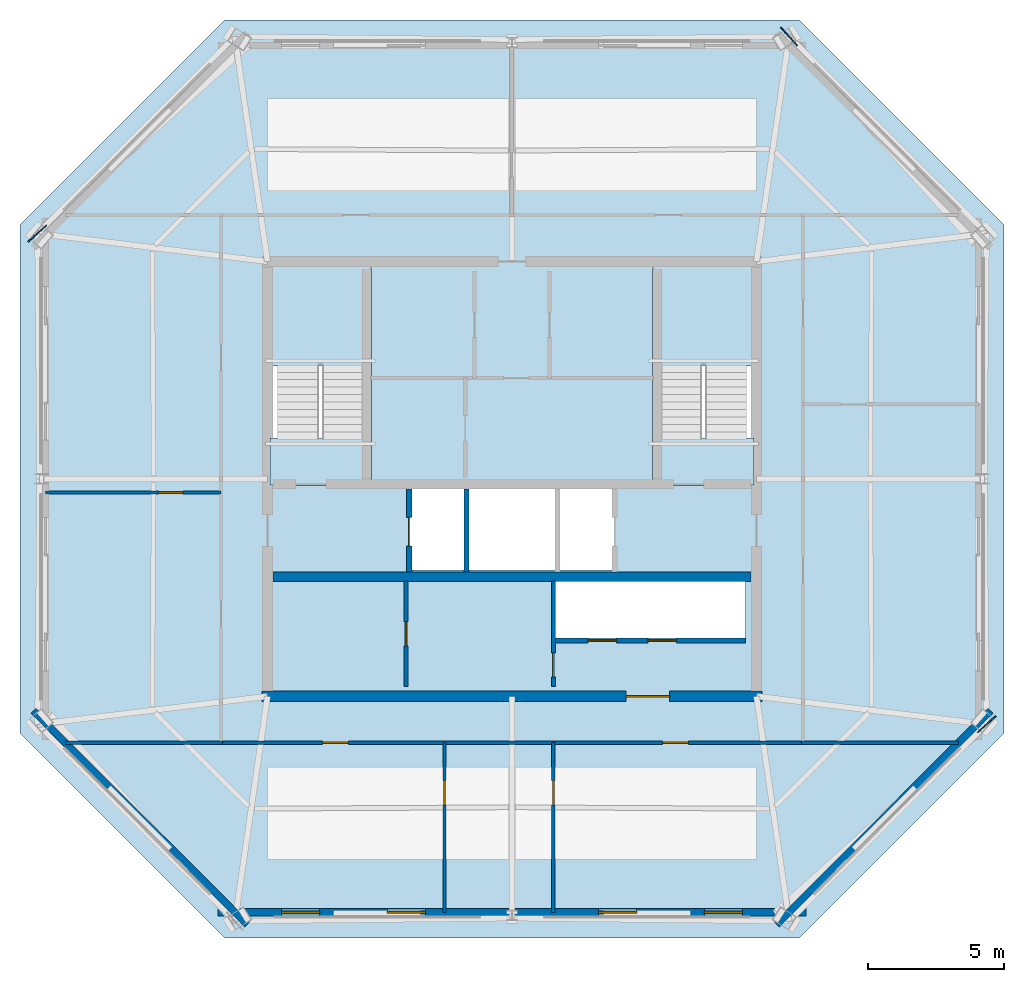
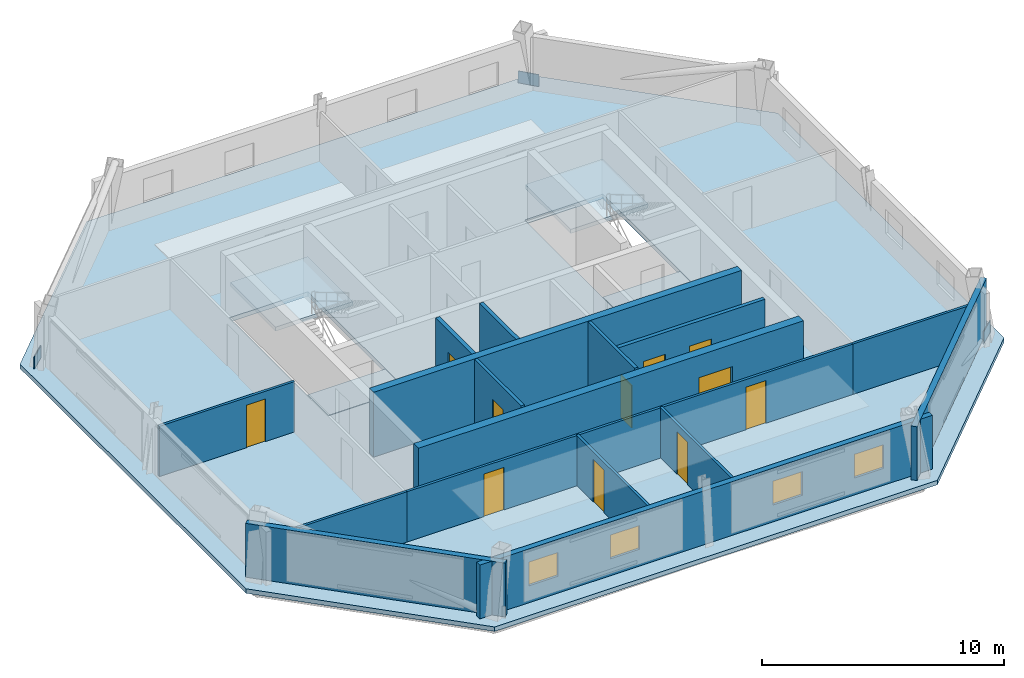
# One storey, part 2 of 5: 16 walls, 11 doors, 5 slabs, 4 windows, 3 plates, 15 openings, 2 elements without a shape of their own.
"""IFC4 building model written with IfcOpenShell, lengths in metres."""

import ifcopenshell
import ifcopenshell.guid

model = None  # the IFC model being written
_history = None  # IfcOwnerHistory: only IFC2X3 demands one
_inside = {}  # id of a spatial element -> (the spatial element, [elements in it])
_under = {}  # id of a project, library or spatial element -> (it, [spatial elements below it])
_declared = {}  # id of a project -> (the project, [libraries it declares])
_typed = {}  # id of a type object -> (the type object, [elements of that type])
_made_of = {}  # id of a material, layer set ... -> (it, [elements and type objects made of it])


def new_model(schema):
    """Start an empty IFC model of exactly this schema.

    Asked for "IFC4X3", IfcOpenShell would pick the latest addendum, in which some entities
    have other attributes; the version numbers below select the first issue.
    IFC2X3 requires an IfcOwnerHistory on every rooted entity: one is made here for all.
    """
    global model, _history
    if schema == "IFC4X3":
        model = ifcopenshell.file(schema_version=(4, 3, 0, 0))
    else:
        model = ifcopenshell.file(schema=schema)
    _inside.clear()
    _under.clear()
    _declared.clear()
    _typed.clear()
    _made_of.clear()
    _history = None
    if model.schema == "IFC2X3":
        org = make("IfcOrganization", Name="unknown")
        user = make(
            "IfcPersonAndOrganization",
            ThePerson=make("IfcPerson", FamilyName="unknown"),
            TheOrganization=org,
        )
        app = make(
            "IfcApplication",
            ApplicationDeveloper=org,
            Version="unknown",
            ApplicationFullName="unknown",
            ApplicationIdentifier="unknown",
        )
        _history = make(
            "IfcOwnerHistory",
            OwningUser=user,
            OwningApplication=app,
            ChangeAction="ADDED",
            CreationDate=0,
        )
    return model


def make(cls, **values):
    """One entity of the class cls with the attributes given. An attribute that is None is left unset."""
    return model.create_entity(
        cls, **{name: value for name, value in values.items() if value is not None}
    )


def rooted(cls, **values):
    """An entity with a GlobalId (a new one), such as an element, a storey or a relation."""
    return make(cls, GlobalId=ifcopenshell.guid.new(), OwnerHistory=_history, **values)


def si_unit(unit_type, name, prefix=None):
    """IfcSIUnit, for example si_unit("LENGTHUNIT", "METRE", prefix="MILLI")."""
    return make("IfcSIUnit", UnitType=unit_type, Prefix=prefix, Name=name)


def assignment(units):
    """IfcUnitAssignment: the units of a project."""
    return None if units is None else make("IfcUnitAssignment", Units=units)


def point(xyz):
    """IfcCartesianPoint."""
    return None if xyz is None else make("IfcCartesianPoint", Coordinates=xyz)


def direction(xyz):
    """IfcDirection."""
    return None if xyz is None else make("IfcDirection", DirectionRatios=xyz)


def frame(location, z_axis=None, x_axis=None):
    """IfcAxis2Placement3D, a coordinate frame: its origin and axes. An axis left out is left unset."""
    return make(
        "IfcAxis2Placement3D",
        Location=point(location),
        Axis=direction(z_axis),
        RefDirection=direction(x_axis),
    )


def frame_2d(location, x_axis=None):
    """IfcAxis2Placement2D, a coordinate frame in the plane: its origin and x axis."""
    return make(
        "IfcAxis2Placement2D", Location=point(location), RefDirection=direction(x_axis)
    )


def origin():
    """The frame at (0, 0, 0) with its axes left unset."""
    return frame((0.0, 0.0, 0.0))


def origin_2d():
    """The frame at (0, 0) in the plane with its x axis left unset."""
    return frame_2d((0.0, 0.0))


def place(relative_to, where):
    """IfcLocalPlacement: puts the frame where relative to a parent placement (None: the world)."""
    return make(
        "IfcLocalPlacement", PlacementRelTo=relative_to, RelativePlacement=where
    )


def context(
    kind, dimensions, precision=None, world=None, true_north=None, identifier=None
):
    """IfcGeometricRepresentationContext, for example the 3D "Model" context."""
    return make(
        "IfcGeometricRepresentationContext",
        ContextIdentifier=identifier,
        ContextType=kind,
        CoordinateSpaceDimension=dimensions,
        Precision=precision,
        WorldCoordinateSystem=world,
        TrueNorth=true_north,
    )


def subcontext(parent, identifier, kind, view, scale=None):
    """IfcGeometricRepresentationSubContext, for example "Body" below "Model"."""
    return make(
        "IfcGeometricRepresentationSubContext",
        ContextIdentifier=identifier,
        ContextType=kind,
        ParentContext=parent,
        TargetScale=scale,
        TargetView=view,
    )


def project(units=None, contexts=None):
    """IfcProject with its units and contexts."""
    return rooted(
        "IfcProject",
        Name="project",
        RepresentationContexts=contexts,
        UnitsInContext=assignment(units),
    )


def spatial(cls, under=None, at=None, **own):
    """A site, building, storey or space (cls), placed at a placement, below another one or the project."""
    s = rooted(cls, ObjectPlacement=at, **own)
    if under is not None:
        _under.setdefault(under.id(), (under, []))[1].append(s)
    return s


def polyline(points):
    """IfcPolyline through the points."""
    return make("IfcPolyline", Points=[point(p) for p in points])


def profile(cls, at=None, kind="AREA", **sizes):
    """A parametric profile (cls). Its sizes go by their IFC names, for example OverallWidth=200.0."""
    return make(cls, ProfileType=kind, Position=at, **sizes)


def rectangle(**sizes):
    """IfcRectangleProfileDef."""
    return profile("IfcRectangleProfileDef", **sizes)


def outline(outer, holes=None, kind="AREA"):
    """IfcArbitraryClosedProfileDef: a profile drawn as a closed curve; with holes, ...WithVoids."""
    if holes is None:
        return make("IfcArbitraryClosedProfileDef", ProfileType=kind, OuterCurve=outer)
    return make(
        "IfcArbitraryProfileDefWithVoids",
        ProfileType=kind,
        OuterCurve=outer,
        InnerCurves=holes,
    )


def extrude(swept, where, along, depth):
    """IfcExtrudedAreaSolid: the profile swept, set in the frame where, extruded along a direction by depth."""
    return make(
        "IfcExtrudedAreaSolid",
        SweptArea=swept,
        Position=where,
        ExtrudedDirection=direction(along),
        Depth=depth,
    )


def shape(context_of_items, identifier, shape_type, items):
    """IfcShapeRepresentation: the items that make up one representation, for example the "Body"."""
    return make(
        "IfcShapeRepresentation",
        ContextOfItems=context_of_items,
        RepresentationIdentifier=identifier,
        RepresentationType=shape_type,
        Items=items,
    )


def material(Name=None, Category=None):
    """IfcMaterial."""
    return make("IfcMaterial", Name=Name, Category=Category)


def layer(
    of_material, thickness, ventilated=None, Name=None, Category=None, Priority=None
):
    """IfcMaterialLayer: one layer of a wall or slab, of a material (None: an air gap)."""
    return make(
        "IfcMaterialLayer",
        Material=of_material,
        LayerThickness=thickness,
        IsVentilated=ventilated,
        Name=Name,
        Category=Category,
        Priority=Priority,
    )


def layer_set(layers, Name=None):
    """IfcMaterialLayerSet."""
    return make("IfcMaterialLayerSet", MaterialLayers=layers, LayerSetName=Name)


def made_of(thing, what):
    """Note that an element or type object is made of a material, layer set ...; save() writes the relation."""
    if what is not None:
        _made_of.setdefault(what.id(), (what, []))[1].append(thing)
    return thing


def type_object(cls, material=None, **own):
    """A type object (cls), such as IfcWallType, which elements share."""
    return made_of(rooted(cls, **own), material)


def element(
    cls,
    number,
    at=None,
    inside=None,
    cuts=None,
    type_object=None,
    material=None,
    context=None,
    identifier="Body",
    shape_type=None,
    held_by="IfcProductDefinitionShape",
    body=None,
    shapes=None,
    **own,
):
    """One element of the class cls, such as IfcWall. Its Tag is "e" and its number.

    at: its placement. inside: the storey or other place that contains it. cuts: it is an
    opening in that element (IfcRelVoidsElement). A single representation is given by context,
    identifier, shape_type and body (its items); several are given by shapes. held_by: the class
    of the entity that holds the representations. save() writes the other relations.
    """
    e = rooted(cls, Tag="e%d" % number, ObjectPlacement=at, **own)
    if body is not None:
        shapes = [shape(context, identifier, shape_type, body)]
    if shapes is not None:
        e.Representation = make(held_by, Representations=shapes)
    if inside is not None:
        _inside.setdefault(inside.id(), (inside, []))[1].append(e)
    if cuts is not None:
        rooted(
            "IfcRelVoidsElement", RelatingBuildingElement=cuts, RelatedOpeningElement=e
        )
    if type_object is not None:
        _typed.setdefault(type_object.id(), (type_object, []))[1].append(e)
    return made_of(e, material)


def fill(opening, filler):
    """IfcRelFillsElement: the door or window that sits in an opening."""
    return rooted(
        "IfcRelFillsElement",
        RelatingOpeningElement=opening,
        RelatedBuildingElement=filler,
    )


def aggregate(whole, parts):
    """IfcRelAggregates: a whole, such as a stair, and the parts it consists of."""
    return rooted("IfcRelAggregates", RelatingObject=whole, RelatedObjects=parts)


def save(model, path):
    """Write the relations noted so far, then the file.

    IfcRelAggregates (storeys below a building ...), IfcRelContainedInSpatialStructure (elements
    in a storey), IfcRelDefinesByType, IfcRelAssociatesMaterial and IfcRelDeclares: one each for
    every whole, place, type object, material and project.
    """
    for whole, parts in _under.values():
        aggregate(whole, parts)
    for where, things in _inside.values():
        rooted(
            "IfcRelContainedInSpatialStructure",
            RelatedElements=things,
            RelatingStructure=where,
        )
    for kind, things in _typed.values():
        rooted("IfcRelDefinesByType", RelatedObjects=things, RelatingType=kind)
    for what, things in _made_of.values():
        rooted("IfcRelAssociatesMaterial", RelatedObjects=things, RelatingMaterial=what)
    for by, libraries in _declared.values():
        rooted("IfcRelDeclares", RelatingContext=by, RelatedDefinitions=libraries)
    model.write(path)


model = new_model("IFC4")

# Units and contexts
model_context = context("Model", 3, precision=1e-05, world=origin(), true_north=direction((0.0, 1.0)))
body_context = subcontext(model_context, "Body", "Model", "MODEL_VIEW")
ifc_project = project(units=[si_unit("LENGTHUNIT", "METRE"), si_unit("AREAUNIT", "SQUARE_METRE"), si_unit("VOLUMEUNIT", "CUBIC_METRE"), si_unit("PLANEANGLEUNIT", "RADIAN"), si_unit("MASSUNIT", "GRAM", prefix="KILO")], contexts=[model_context])

# Site, building, storey
site_placement = place(None, origin())
site = spatial("IfcSite", under=ifc_project, at=site_placement, CompositionType="ELEMENT")
building_placement = place(site_placement, origin())
building = spatial("IfcBuilding", under=site, at=building_placement, Name="Caelvoria Tower", CompositionType="ELEMENT")
storey_placement = place(building_placement, frame((0.0, 0.0, 275.39990234375)))
storey = spatial("IfcBuildingStorey", under=building, at=storey_placement, Name="L73", CompositionType="ELEMENT", Elevation=275.39990234375)

# Plates
ifc_material_1 = material(Name="Structural Steel ASTM A572 Gr.50", Category="steel")
ifc_layer_1 = layer(ifc_material_1, 0.0400390625, Name="Structural Steel ASTM A572 Gr.50")
ifc_layer_set_1 = layer_set([ifc_layer_1], Name="Megaframe Node Gusset Plate 900x600x40 - Structural Steel ASTM A572 Gr.50")
plate_type = type_object("IfcPlateType", Name="Megaframe Node Gusset Plate 900x600x40", PredefinedType="USERDEFINED", material=ifc_layer_set_1)
for number, where, z_axis, x_axis, name in (
    (1, (63.469482421875, 22.967041015625, 0.02001953125), (0.0, 0.0, 1.0), (-0.74412152532, -0.668044276643, 0.0), "Chamfer Mega Brace Gusset L73 SE"),
    (2, (56.19970703125, 48.28076171875, 0.02001953125), (0.0, 0.0, 1.0), (0.669628516485, -0.742696202973, 0.0), "Chamfer Mega Brace Gusset L73 NE"),
    (3, (28.530517578125, 41.032958984375, 0.02001953125), (0.0, 0.0, 1.0), (0.74412152532, 0.668044276643, 0.0), "Chamfer Mega Brace Gusset L73 NW"),
):
    element("IfcPlate", number, at=place(storey_placement, frame(where, z_axis=z_axis, x_axis=x_axis)), inside=storey, type_object=plate_type, Name=name, ObjectType="GUSSET_PLATE", PredefinedType="USERDEFINED", context=body_context, shape_type="SweptSolid", body=[
        extrude(rectangle(XDim=0.89990234375, YDim=0.0400390625, at=origin_2d()), origin(), (0.0, 0.0, 1.0), 0.60009765625),
    ])

# Stair, slabs
ifc_material_2 = material(Name="Concrete C40/50", Category="concrete")
stair_type = type_object("IfcStairType", Name="Core Smokeproof Dogleg Stair Concrete C40/50", PredefinedType="HALF_TURN_STAIR", material=ifc_material_2)
stair_1_placement = place(storey_placement, origin())
stair_1 = element("IfcStair", 4, at=stair_1_placement, inside=storey, type_object=stair_type, Name="ST-01 Smokeproof Exit Stair L73", PredefinedType="HALF_TURN_STAIR")
ifc_layer_2 = layer(ifc_material_2, 0.199951171875, Name="Concrete C40/50")
ifc_layer_set_2 = layer_set([ifc_layer_2], Name="Stair Half and Floor Landing Slab 200 Concrete C40/50 - Concrete C40/50")
slab_type_1 = type_object("IfcSlabType", Name="Stair Half and Floor Landing Slab 200 Concrete C40/50", PredefinedType="LANDING", material=ifc_layer_set_2)
slab_1_placement = place(storey_placement, frame((0.0, 0.0, -0.199951171875)))
slab_1 = element("IfcSlab", 5, at=slab_1_placement, type_object=slab_type_1, Name="ST-01 landing 1", PredefinedType="LANDING", context=body_context, shape_type="SweptSolid", body=[
    extrude(outline(polyline([(37.10009765625, 31.77001953125), (40.800048828125, 31.77001953125), (40.800048828125, 33.5), (37.10009765625, 33.5), (37.10009765625, 31.77001953125)])), origin(), (0.0, 0.0, 1.0), 0.199951171875),
])
slab_2_placement = place(storey_placement, frame((0.0, 0.0, 1.60009765625)))
slab_2 = element("IfcSlab", 6, at=slab_2_placement, type_object=slab_type_1, Name="ST-01 landing 2", PredefinedType="LANDING", context=body_context, shape_type="SweptSolid", body=[
    extrude(outline(polyline([(37.10009765625, 36.14990234375), (40.800048828125, 36.14990234375), (40.800048828125, 39.89990234375), (37.10009765625, 39.89990234375), (37.10009765625, 36.14990234375)])), origin(), (0.0, 0.0, 1.0), 0.199951171875),
])
aggregate(stair_1, [slab_1, slab_2])

stair_2_placement = place(storey_placement, origin())
stair_2 = element("IfcStair", 7, at=stair_2_placement, inside=storey, type_object=stair_type, Name="ST-02 Smokeproof Exit Stair L73", PredefinedType="HALF_TURN_STAIR")
slab_3_placement = place(storey_placement, frame((0.0, 0.0, -0.199951171875)))
slab_3 = element("IfcSlab", 8, at=slab_3_placement, type_object=slab_type_1, Name="ST-02 landing 1", PredefinedType="LANDING", context=body_context, shape_type="SweptSolid", body=[
    extrude(outline(polyline([(51.199951171875, 31.77001953125), (54.89990234375, 31.77001953125), (54.89990234375, 33.5), (51.199951171875, 33.5), (51.199951171875, 31.77001953125)])), origin(), (0.0, 0.0, 1.0), 0.199951171875),
])
slab_4_placement = place(storey_placement, frame((0.0, 0.0, 1.60009765625)))
slab_4 = element("IfcSlab", 9, at=slab_4_placement, type_object=slab_type_1, Name="ST-02 landing 2", PredefinedType="LANDING", context=body_context, shape_type="SweptSolid", body=[
    extrude(outline(polyline([(51.199951171875, 36.14990234375), (54.89990234375, 36.14990234375), (54.89990234375, 39.89990234375), (51.199951171875, 39.89990234375), (51.199951171875, 36.14990234375)])), origin(), (0.0, 0.0, 1.0), 0.199951171875),
])
aggregate(stair_2, [slab_3, slab_4])

# Slab
ifc_layer_3 = layer(ifc_material_2, 0.22509765625, Name="Concrete C40/50")
ifc_layer_set_3 = layer_set([ifc_layer_3], Name="Upper Tower Composite Office Slab 225 - Concrete C40/50")
slab_type_2 = type_object("IfcSlabType", Name="Upper Tower Composite Office Slab 225", PredefinedType="FLOOR", material=ifc_layer_set_3)
slab_5_placement = place(storey_placement, frame((0.0, 0.0, -0.224853515625)))
element("IfcSlab", 10, at=slab_5_placement, inside=storey, type_object=slab_type_2, Name="Level L73 Structural Floor Slab", PredefinedType="FLOOR", context=body_context, shape_type="SweptSolid", body=[
    extrude(outline(polyline([(35.418212890625, 15.109130859375), (56.581787109375, 15.109130859375), (64.109130859375, 22.636474609375), (64.109130859375, 41.363525390625), (56.581787109375, 48.890869140625), (35.418212890625, 48.890869140625), (27.890869140625, 41.363525390625), (27.890869140625, 22.636474609375), (35.418212890625, 15.109130859375)]), holes=[polyline([(37.080078125, 31.75), (40.820068359375, 31.75), (40.820068359375, 39.919921875), (37.080078125, 39.919921875), (37.080078125, 31.75)]), polyline([(51.179931640625, 31.75), (54.919921875, 31.75), (54.919921875, 39.919921875), (51.179931640625, 39.919921875), (51.179931640625, 31.75)]), polyline([(42.25, 28.64990234375), (49.75, 28.64990234375), (49.75, 31.800048828125), (42.25, 31.800048828125), (42.25, 28.64990234375)]), polyline([(47.60009765625, 26.14990234375), (54.60009765625, 26.14990234375), (54.60009765625, 28.25), (47.60009765625, 28.25), (47.60009765625, 26.14990234375)])]), origin(), (0.0, 0.0, 1.0), 0.224853515625),
])

# Wall
ifc_material_3 = material(Name="Concrete C50/60", Category="concrete")
ifc_layer_4 = layer(ifc_material_3, 0.35009765625, Name="Concrete C50/60")
ifc_layer_set_4 = layer_set([ifc_layer_4], Name="Core Internal Shear Wall 350 - Concrete C50/60")
wall_type_1 = type_object("IfcWallType", Name="Core Internal Shear Wall 350", PredefinedType="SHEAR", material=ifc_layer_set_4)
wall_1_placement = place(storey_placement, frame((37.199951171875, 28.39990234375, 0.0), z_axis=(0.0, 0.0, 1.0), x_axis=(1.0, 0.0, 0.0)))
element("IfcWall", 11, at=wall_1_placement, inside=storey, type_object=wall_type_1, Name="Core Shear Wall L73 M2", PredefinedType="SHEAR", context=body_context, shape_type="SweptSolid", body=[
    extrude(rectangle(XDim=17.60009765625, YDim=0.35009765625, at=frame_2d((8.800048828125, 0.0))), origin(), (0.0, 0.0, 1.0), 3.280029296875),
])

# Wall, opening, door
ifc_material_4 = material(Name="Double Gypsum Board on Steel Stud", Category="steel")
ifc_layer_5 = layer(ifc_material_4, 0.14990234375, Name="Double Gypsum Board on Steel Stud")
ifc_layer_set_5 = layer_set([ifc_layer_5], Name="Core Service Acoustic Partition Wall 150 - Double Gypsum Board on Steel Stud")
wall_type_2 = type_object("IfcWallType", Name="Core Service Acoustic Partition Wall 150", PredefinedType="PARTITIONING", material=ifc_layer_set_5)
wall_2_placement = place(storey_placement, frame((42.10009765625, 24.35009765625, 0.0), z_axis=(0.0, 0.0, 1.0), x_axis=(0.0, 1.0, 0.0)))
wall_2 = element("IfcWall", 12, at=wall_2_placement, inside=storey, type_object=wall_type_2, Name="Interior Partition IW-L73-RECL-MID", PredefinedType="PARTITIONING", context=body_context, shape_type="SweptSolid", body=[
    extrude(rectangle(XDim=3.89990234375, YDim=0.14990234375, at=frame_2d((1.949951171875, 0.0))), origin(), (0.0, 0.0, 1.0), 3.260009765625),
])
opening_1_placement = place(wall_2_placement, frame((1.5, 0.0, 0.0)))
opening_1 = element("IfcOpeningElement", 13, at=opening_1_placement, cuts=wall_2, Name="Opening ID-06", PredefinedType="OPENING", context=body_context, shape_type="SweptSolid", body=[
    extrude(rectangle(XDim=0.89990234375, YDim=2.14990234375, at=frame_2d((0.449951171875, 1.074951171875))), frame((0.0, 0.0849609375, 0.0), z_axis=(0.0, -1.0, 0.0), x_axis=(1.0, 0.0, 0.0)), (0.0, 0.0, 1.0), 0.169921875),
])
ifc_material_5 = material(Name="Engineered Andean Oak Veneer Door", Category="wood")
door_type_1 = type_object("IfcDoorType", Name="Interior Timber Door 900x2150", OperationType="NOTDEFINED", PredefinedType="DOOR", material=ifc_material_5)
door_1_placement = place(opening_1_placement, origin())
door_1 = element("IfcDoor", 14, at=door_1_placement, inside=storey, type_object=door_type_1, Name="Interior Door DR-L73-RECL12", OperationType="SINGLE_SWING_LEFT", OverallHeight=2.14990234375, OverallWidth=0.89990234375, PredefinedType="DOOR", context=body_context, shape_type="SweptSolid", body=[
    extrude(rectangle(XDim=0.89990234375, YDim=2.14990234375, at=frame_2d((0.449951171875, 1.074951171875))), frame((0.0, 0.02490234375, 0.0), z_axis=(0.0, -1.0, 0.0), x_axis=(1.0, 0.0, 0.0)), (0.0, 0.0, 1.0), 0.050048828125),
])
fill(opening_1, door_1)

wall_3_placement = place(storey_placement, frame((47.52001953125, 24.35009765625, 0.0), z_axis=(0.0, 0.0, 1.0), x_axis=(0.0, 1.0, 0.0)))
wall_3 = element("IfcWall", 15, at=wall_3_placement, inside=storey, type_object=wall_type_2, Name="Interior Partition IW-L73-RECL2E", PredefinedType="PARTITIONING", context=body_context, shape_type="SweptSolid", body=[
    extrude(rectangle(XDim=3.89990234375, YDim=0.14990234375, at=frame_2d((1.949951171875, 0.0))), origin(), (0.0, 0.0, 1.0), 3.260009765625),
])
opening_2_placement = place(wall_3_placement, frame((0.35009765625, 0.0, 0.0)))
opening_2 = element("IfcOpeningElement", 16, at=opening_2_placement, cuts=wall_3, Name="Opening ID-04", PredefinedType="OPENING", context=body_context, shape_type="SweptSolid", body=[
    extrude(rectangle(XDim=0.89990234375, YDim=2.14990234375, at=frame_2d((0.449951171875, 1.074951171875))), frame((0.0, 0.0849609375, 0.0), z_axis=(0.0, -1.0, 0.0), x_axis=(1.0, 0.0, 0.0)), (0.0, 0.0, 1.0), 0.169921875),
])
ifc_material_6 = material(Name="Acoustic Timber Fire Door", Category="wood")
door_type_2 = type_object("IfcDoorType", Name="Fire Door FD30S 900x2150", OperationType="NOTDEFINED", PredefinedType="DOOR", material=ifc_material_6)
door_2_placement = place(opening_2_placement, origin())
door_2 = element("IfcDoor", 17, at=door_2_placement, inside=storey, type_object=door_type_2, Name="Interior Door DR-L73-RECL2", OperationType="SINGLE_SWING_RIGHT", OverallHeight=2.14990234375, OverallWidth=0.89990234375, PredefinedType="DOOR", context=body_context, shape_type="SweptSolid", body=[
    extrude(rectangle(XDim=0.89990234375, YDim=2.14990234375, at=frame_2d((0.449951171875, 1.074951171875))), frame((0.0, 0.02490234375, 0.0), z_axis=(0.0, -1.0, 0.0), x_axis=(1.0, 0.0, 0.0)), (0.0, 0.0, 1.0), 0.050048828125),
])
fill(opening_2, door_2)

# Wall
ifc_material_7 = material(Name="Concrete Block and Fireboard Assembly", Category="concrete")
ifc_layer_6 = layer(ifc_material_7, 0.179931640625, Name="Concrete Block and Fireboard Assembly")
ifc_layer_set_6 = layer_set([ifc_layer_6], Name="Fire-Rated Hoistway Partition Wall 180 - Concrete Block and Fireboard Assembly")
wall_type_3 = type_object("IfcWallType", Name="Fire-Rated Hoistway Partition Wall 180", PredefinedType="PARTITIONING", material=ifc_layer_set_6)
wall_4_placement = place(storey_placement, frame((44.320068359375, 28.580078125, 0.0), z_axis=(0.0, 0.0, 1.0), x_axis=(0.0, 1.0, 0.0)))
element("IfcWall", 18, at=wall_4_placement, inside=storey, type_object=wall_type_3, Name="Interior Partition IW-L73-SV1W", PredefinedType="PARTITIONING", context=body_context, shape_type="SweptSolid", body=[
    extrude(rectangle(XDim=3.0400390625, YDim=0.179931640625, at=frame_2d((1.52001953125, 0.0))), origin(), (0.0, 0.0, 1.0), 3.260009765625),
])

# Wall, openings, doors
wall_5_placement = place(storey_placement, frame((47.60009765625, 26.050048828125, 0.0), z_axis=(0.0, 0.0, 1.0), x_axis=(1.0, 0.0, 0.0)))
wall_5 = element("IfcWall", 19, at=wall_5_placement, inside=storey, type_object=wall_type_3, Name="Interior Partition IW-L73-LFRONT", PredefinedType="PARTITIONING", context=body_context, shape_type="SweptSolid", body=[
    extrude(rectangle(XDim=7.0, YDim=0.179931640625, at=frame_2d((3.5, 0.0))), origin(), (0.0, 0.0, 1.0), 3.260009765625),
])
opening_3_placement = place(wall_5_placement, frame((1.199951171875, 0.0, 0.0)))
opening_3 = element("IfcOpeningElement", 20, at=opening_3_placement, cuts=wall_5, Name="Opening LD-01", PredefinedType="OPENING", context=body_context, shape_type="SweptSolid", body=[
    extrude(rectangle(XDim=1.050048828125, YDim=2.14990234375, at=frame_2d((0.52490234375, 1.074951171875))), frame((0.0, 0.099853515625, 0.0), z_axis=(0.0, -1.0, 0.0), x_axis=(1.0, 0.0, 0.0)), (0.0, 0.0, 1.0), 0.199951171875),
])
opening_4_placement = place(wall_5_placement, frame((3.39990234375, 0.0, 0.0)))
opening_4 = element("IfcOpeningElement", 21, at=opening_4_placement, cuts=wall_5, Name="Opening LD-01", PredefinedType="OPENING", context=body_context, shape_type="SweptSolid", body=[
    extrude(rectangle(XDim=1.050048828125, YDim=2.14990234375, at=frame_2d((0.52490234375, 1.074951171875))), frame((0.0, 0.099853515625, 0.0), z_axis=(0.0, -1.0, 0.0), x_axis=(1.0, 0.0, 0.0)), (0.0, 0.0, 1.0), 0.199951171875),
])
ifc_material_8 = material(Name="Brushed Bronze Stainless Sliding Landing Door", Category="aluminium")
door_type_3 = type_object("IfcDoorType", Name="Lift Landing Sliding Door 1100x2150", OperationType="NOTDEFINED", PredefinedType="DOOR", material=ifc_material_8)
door_3_placement = place(opening_3_placement, origin())
door_3 = element("IfcDoor", 22, at=door_3_placement, inside=storey, type_object=door_type_3, Name="Interior Door LD-L73-PH1", OperationType="SLIDING_TO_LEFT", OverallHeight=2.14990234375, OverallWidth=1.050048828125, PredefinedType="DOOR", context=body_context, shape_type="SweptSolid", body=[
    extrude(rectangle(XDim=1.050048828125, YDim=2.14990234375, at=frame_2d((0.52490234375, 1.074951171875))), frame((0.0, 0.02490234375, 0.0), z_axis=(0.0, -1.0, 0.0), x_axis=(1.0, 0.0, 0.0)), (0.0, 0.0, 1.0), 0.050048828125),
])
fill(opening_3, door_3)
door_4_placement = place(opening_4_placement, origin())
door_4 = element("IfcDoor", 23, at=door_4_placement, inside=storey, type_object=door_type_3, Name="Interior Door LD-L73-PH2", OperationType="SLIDING_TO_RIGHT", OverallHeight=2.14990234375, OverallWidth=1.050048828125, PredefinedType="DOOR", context=body_context, shape_type="SweptSolid", body=[
    extrude(rectangle(XDim=1.050048828125, YDim=2.14990234375, at=frame_2d((0.52490234375, 1.074951171875))), frame((0.0, 0.02490234375, 0.0), z_axis=(0.0, -1.0, 0.0), x_axis=(1.0, 0.0, 0.0)), (0.0, 0.0, 1.0), 0.050048828125),
])
fill(opening_4, door_4)

# Wall, opening, door
ifc_layer_7 = layer(ifc_material_7, 0.199951171875, Name="Concrete Block and Fireboard Assembly")
ifc_layer_set_7 = layer_set([ifc_layer_7], Name="Fire-Rated Shaft and Core Partition Wall 200 - Concrete Block and Fireboard Assembly")
wall_type_4 = type_object("IfcWallType", Name="Fire-Rated Shaft and Core Partition Wall 200", PredefinedType="PARTITIONING", material=ifc_layer_set_7)
wall_6_placement = place(storey_placement, frame((42.219970703125, 28.580078125, 0.0), z_axis=(0.0, 0.0, 1.0), x_axis=(0.0, 1.0, 0.0)))
wall_6 = element("IfcWall", 24, at=wall_6_placement, inside=storey, type_object=wall_type_4, Name="Interior Partition IW-L73-LF1W", PredefinedType="PARTITIONING", context=body_context, shape_type="SweptSolid", body=[
    extrude(rectangle(XDim=3.0400390625, YDim=0.199951171875, at=frame_2d((1.52001953125, 0.0))), origin(), (0.0, 0.0, 1.0), 3.260009765625),
])
opening_5_placement = place(wall_6_placement, frame((0.949951171875, 0.0, 0.0)))
opening_5 = element("IfcOpeningElement", 25, at=opening_5_placement, cuts=wall_6, Name="Opening LD-01", PredefinedType="OPENING", context=body_context, shape_type="SweptSolid", body=[
    extrude(rectangle(XDim=1.050048828125, YDim=2.14990234375, at=frame_2d((0.52490234375, 1.074951171875))), frame((0.0, 0.10986328125, 0.0), z_axis=(0.0, -1.0, 0.0), x_axis=(1.0, 0.0, 0.0)), (0.0, 0.0, 1.0), 0.219970703125),
])
door_5_placement = place(opening_5_placement, origin())
door_5 = element("IfcDoor", 26, at=door_5_placement, inside=storey, type_object=door_type_3, Name="Interior Door LD-L73-LF1", OperationType="SLIDING_TO_LEFT", OverallHeight=2.14990234375, OverallWidth=1.050048828125, PredefinedType="DOOR", context=body_context, shape_type="SweptSolid", body=[
    extrude(rectangle(XDim=1.050048828125, YDim=2.14990234375, at=frame_2d((0.52490234375, 1.074951171875))), frame((0.0, 0.02490234375, 0.0), z_axis=(0.0, -1.0, 0.0), x_axis=(1.0, 0.0, 0.0)), (0.0, 0.0, 1.0), 0.050048828125),
])
fill(opening_5, door_5)

ifc_layer_8 = layer(ifc_material_3, 0.39990234375, Name="Concrete C50/60")
ifc_layer_set_8 = layer_set([ifc_layer_8], Name="Summit Core Shear Wall 400 - Concrete C50/60")
wall_type_5 = type_object("IfcWallType", Name="Summit Core Shear Wall 400", PredefinedType="SHEAR", material=ifc_layer_set_8)
wall_7_placement = place(storey_placement, frame((36.800048828125, 24.0, 0.0), z_axis=(0.0, 0.0, 1.0), x_axis=(1.0, 0.0, 0.0)))
wall_7 = element("IfcWall", 27, at=wall_7_placement, inside=storey, type_object=wall_type_5, Name="Core Shear Wall L73 S", PredefinedType="SHEAR", context=body_context, shape_type="SweptSolid", body=[
    extrude(rectangle(XDim=18.39990234375, YDim=0.39990234375, at=frame_2d((9.199951171875, 0.0))), origin(), (0.0, 0.0, 1.0), 3.280029296875),
])
opening_6_placement = place(wall_7_placement, frame((13.39990234375, 0.0, 0.0)))
opening_6 = element("IfcOpeningElement", 28, at=opening_6_placement, cuts=wall_7, Name="Opening ID-08", PredefinedType="OPENING", context=body_context, shape_type="SweptSolid", body=[
    extrude(rectangle(XDim=1.60009765625, YDim=2.14990234375, at=frame_2d((0.800048828125, 1.074951171875))), frame((0.0, 0.2099609375, 0.0), z_axis=(0.0, -1.0, 0.0), x_axis=(1.0, 0.0, 0.0)), (0.0, 0.0, 1.0), 0.419921875),
])
ifc_material_9 = material(Name="Bronze-Framed Fire-Rated Glazed Double Door", Category="aluminium")
door_type_4 = type_object("IfcDoorType", Name="Double Lobby Glazed Door 1600x2200", OperationType="NOTDEFINED", PredefinedType="DOOR", material=ifc_material_9)
door_6_placement = place(opening_6_placement, origin())
door_6 = element("IfcDoor", 29, at=door_6_placement, inside=storey, type_object=door_type_4, Name="Core Door DR-L73-LLOB-S2", OperationType="DOUBLE_DOOR_SINGLE_SWING", OverallHeight=2.14990234375, OverallWidth=1.60009765625, PredefinedType="DOOR", context=body_context, shape_type="SweptSolid", body=[
    extrude(rectangle(XDim=1.60009765625, YDim=2.14990234375, at=frame_2d((0.800048828125, 1.074951171875))), frame((0.0, 0.02490234375, 0.0), z_axis=(0.0, -1.0, 0.0), x_axis=(1.0, 0.0, 0.0)), (0.0, 0.0, 1.0), 0.050048828125),
])
fill(opening_6, door_6)

ifc_material_10 = material(Name="Acoustic Gypsum Board on Light-Gauge Stud", Category="gypsum")
ifc_layer_9 = layer(ifc_material_10, 0.1201171875, Name="Acoustic Gypsum Board on Light-Gauge Stud")
ifc_layer_set_9 = layer_set([ifc_layer_9], Name="Tenant Suite Acoustic Partition Wall 120 - Acoustic Gypsum Board on Light-Gauge Stud")
wall_type_6 = type_object("IfcWallType", Name="Tenant Suite Acoustic Partition Wall 120", PredefinedType="PARTITIONING", material=ifc_layer_set_9)
wall_8_placement = place(storey_placement, frame((43.518798828125, 22.2900390625, 0.0), z_axis=(0.0, 0.0, 1.0), x_axis=(0.0, -1.0, 0.0)))
wall_8 = element("IfcWall", 30, at=wall_8_placement, inside=storey, type_object=wall_type_6, Name="Interior Partition IW-L73-SD-00-0", PredefinedType="PARTITIONING", context=body_context, shape_type="SweptSolid", body=[
    extrude(rectangle(XDim=6.240966796875, YDim=0.1201171875, at=frame_2d((3.12060546875, 0.0))), origin(), (0.0, 0.0, 1.0), 2.5400390625),
])
opening_7_placement = place(wall_8_placement, frame((1.39990234375, 0.0, 0.0)))
opening_7 = element("IfcOpeningElement", 31, at=opening_7_placement, cuts=wall_8, Name="Opening ID-06", PredefinedType="OPENING", context=body_context, shape_type="SweptSolid", body=[
    extrude(rectangle(XDim=0.89990234375, YDim=2.14990234375, at=frame_2d((0.449951171875, 1.074951171875))), frame((0.0, 0.070068359375, 0.0), z_axis=(0.0, -1.0, 0.0), x_axis=(1.0, 0.0, 0.0)), (0.0, 0.0, 1.0), 0.14013671875),
])
door_7_placement = place(opening_7_placement, origin())
door_7 = element("IfcDoor", 32, at=door_7_placement, inside=storey, type_object=door_type_1, Name="Interior Door DR-L73-SM-00-0", OperationType="SINGLE_SWING_RIGHT", OverallHeight=2.14990234375, OverallWidth=0.89990234375, PredefinedType="DOOR", context=body_context, shape_type="SweptSolid", body=[
    extrude(rectangle(XDim=0.89990234375, YDim=2.14990234375, at=frame_2d((0.449951171875, 1.074951171875))), frame((0.0, 0.02490234375, 0.0), z_axis=(0.0, -1.0, 0.0), x_axis=(1.0, 0.0, 0.0)), (0.0, 0.0, 1.0), 0.050048828125),
])
fill(opening_7, door_7)

wall_9_placement = place(storey_placement, frame((47.522705078125, 22.2900390625, 0.0), z_axis=(0.0, 0.0, 1.0), x_axis=(0.0, -1.0, 0.0)))
wall_9 = element("IfcWall", 33, at=wall_9_placement, inside=storey, type_object=wall_type_6, Name="Interior Partition IW-L73-SD-01-0", PredefinedType="PARTITIONING", context=body_context, shape_type="SweptSolid", body=[
    extrude(rectangle(XDim=6.240966796875, YDim=0.1201171875, at=frame_2d((3.12060546875, 0.0))), origin(), (0.0, 0.0, 1.0), 2.5400390625),
])
opening_8_placement = place(wall_9_placement, frame((1.39990234375, 0.0, 0.0)))
opening_8 = element("IfcOpeningElement", 34, at=opening_8_placement, cuts=wall_9, Name="Opening ID-06", PredefinedType="OPENING", context=body_context, shape_type="SweptSolid", body=[
    extrude(rectangle(XDim=0.89990234375, YDim=2.14990234375, at=frame_2d((0.449951171875, 1.074951171875))), frame((0.0, 0.070068359375, 0.0), z_axis=(0.0, -1.0, 0.0), x_axis=(1.0, 0.0, 0.0)), (0.0, 0.0, 1.0), 0.14013671875),
])
door_8_placement = place(opening_8_placement, origin())
door_8 = element("IfcDoor", 35, at=door_8_placement, inside=storey, type_object=door_type_1, Name="Interior Door DR-L73-SM-01-0", OperationType="SINGLE_SWING_LEFT", OverallHeight=2.14990234375, OverallWidth=0.89990234375, PredefinedType="DOOR", context=body_context, shape_type="SweptSolid", body=[
    extrude(rectangle(XDim=0.89990234375, YDim=2.14990234375, at=frame_2d((0.449951171875, 1.074951171875))), frame((0.0, 0.02490234375, 0.0), z_axis=(0.0, -1.0, 0.0), x_axis=(1.0, 0.0, 0.0)), (0.0, 0.0, 1.0), 0.050048828125),
])
fill(opening_8, door_8)

# Wall, openings, doors
wall_10_placement = place(storey_placement, frame((35.35009765625, 22.2900390625, 0.0), z_axis=(0.0, 0.0, 1.0), x_axis=(1.0, 0.0, 0.0)))
wall_10 = element("IfcWall", 36, at=wall_10_placement, inside=storey, type_object=wall_type_6, Name="Interior Partition IW-L73-SCW-0", PredefinedType="PARTITIONING", context=body_context, shape_type="SweptSolid", body=[
    extrude(rectangle(XDim=21.2998046875, YDim=0.1201171875, at=frame_2d((10.64990234375, 0.0))), origin(), (0.0, 0.0, 1.0), 2.5400390625),
])
opening_9_placement = place(wall_10_placement, frame((3.679443359375, 0.0, 0.0)))
opening_9 = element("IfcOpeningElement", 37, at=opening_9_placement, cuts=wall_10, Name="Opening ID-05", PredefinedType="OPENING", context=body_context, shape_type="SweptSolid", body=[
    extrude(rectangle(XDim=0.949951171875, YDim=2.14990234375, at=frame_2d((0.47509765625, 1.074951171875))), frame((0.0, 0.070068359375, 0.0), z_axis=(0.0, -1.0, 0.0), x_axis=(1.0, 0.0, 0.0)), (0.0, 0.0, 1.0), 0.14013671875),
])
opening_10_placement = place(wall_10_placement, frame((16.19140625, 0.0, 0.0)))
opening_10 = element("IfcOpeningElement", 38, at=opening_10_placement, cuts=wall_10, Name="Opening ID-05", PredefinedType="OPENING", context=body_context, shape_type="SweptSolid", body=[
    extrude(rectangle(XDim=0.949951171875, YDim=2.14990234375, at=frame_2d((0.47509765625, 1.074951171875))), frame((0.0, 0.070068359375, 0.0), z_axis=(0.0, -1.0, 0.0), x_axis=(1.0, 0.0, 0.0)), (0.0, 0.0, 1.0), 0.14013671875),
])
door_type_5 = type_object("IfcDoorType", Name="Interior Timber Door 950x2150", OperationType="NOTDEFINED", PredefinedType="DOOR", material=ifc_material_5)
door_9_placement = place(opening_9_placement, origin())
door_9 = element("IfcDoor", 39, at=door_9_placement, inside=storey, type_object=door_type_5, Name="Interior Door DR-L73-SC-00-0", OperationType="SINGLE_SWING_RIGHT", OverallHeight=2.14990234375, OverallWidth=0.949951171875, PredefinedType="DOOR", context=body_context, shape_type="SweptSolid", body=[
    extrude(rectangle(XDim=0.949951171875, YDim=2.14990234375, at=frame_2d((0.47509765625, 1.074951171875))), frame((0.0, 0.02490234375, 0.0), z_axis=(0.0, -1.0, 0.0), x_axis=(1.0, 0.0, 0.0)), (0.0, 0.0, 1.0), 0.050048828125),
])
fill(opening_9, door_9)
door_10_placement = place(opening_10_placement, origin())
door_10 = element("IfcDoor", 40, at=door_10_placement, inside=storey, type_object=door_type_5, Name="Interior Door DR-L73-SC-02-0", OperationType="SINGLE_SWING_RIGHT", OverallHeight=2.14990234375, OverallWidth=0.949951171875, PredefinedType="DOOR", context=body_context, shape_type="SweptSolid", body=[
    extrude(rectangle(XDim=0.949951171875, YDim=2.14990234375, at=frame_2d((0.47509765625, 1.074951171875))), frame((0.0, 0.02490234375, 0.0), z_axis=(0.0, -1.0, 0.0), x_axis=(1.0, 0.0, 0.0)), (0.0, 0.0, 1.0), 0.050048828125),
])
fill(opening_10, door_10)

# Wall, opening, door
wall_11_placement = place(storey_placement, frame((35.2900390625, 31.502685546875, 0.0), z_axis=(0.0, 0.0, 1.0), x_axis=(-1.0, 0.0, 0.0)))
wall_11 = element("IfcWall", 41, at=wall_11_placement, inside=storey, type_object=wall_type_6, Name="Interior Partition IW-L73-WD-00-0", PredefinedType="PARTITIONING", context=body_context, shape_type="SweptSolid", body=[
    extrude(rectangle(XDim=6.459228515625, YDim=0.1201171875, at=frame_2d((3.2294921875, 0.0))), origin(), (0.0, 0.0, 1.0), 2.5400390625),
])
opening_11_placement = place(wall_11_placement, frame((1.39990234375, 0.0, 0.0)))
opening_11 = element("IfcOpeningElement", 42, at=opening_11_placement, cuts=wall_11, Name="Opening ID-06", PredefinedType="OPENING", context=body_context, shape_type="SweptSolid", body=[
    extrude(rectangle(XDim=0.89990234375, YDim=2.14990234375, at=frame_2d((0.449951171875, 1.074951171875))), frame((0.0, 0.070068359375, 0.0), z_axis=(0.0, -1.0, 0.0), x_axis=(1.0, 0.0, 0.0)), (0.0, 0.0, 1.0), 0.14013671875),
])
door_11_placement = place(opening_11_placement, origin())
door_11 = element("IfcDoor", 43, at=door_11_placement, inside=storey, type_object=door_type_1, Name="Interior Door DR-L73-WM-00-0", OperationType="SINGLE_SWING_RIGHT", OverallHeight=2.14990234375, OverallWidth=0.89990234375, PredefinedType="DOOR", context=body_context, shape_type="SweptSolid", body=[
    extrude(rectangle(XDim=0.89990234375, YDim=2.14990234375, at=frame_2d((0.449951171875, 1.074951171875))), frame((0.0, 0.02490234375, 0.0), z_axis=(0.0, -1.0, 0.0), x_axis=(1.0, 0.0, 0.0)), (0.0, 0.0, 1.0), 0.050048828125),
])
fill(opening_11, door_11)

# Walls
for number, where, z_axis, x_axis, name in (
    (44, (35.35009765625, 22.2900390625, 0.0), (0.0, 0.0, 1.0), (-1.0, 0.0, 0.0), "Interior Partition IW-L73-BSW-0"),
    (45, (56.64990234375, 22.2900390625, 0.0), (0.0, 0.0, 1.0), (1.0, 0.0, 0.0), "Interior Partition IW-L73-BSE-0"),
):
    element("IfcWall", number, at=place(storey_placement, frame(where, z_axis=z_axis, x_axis=x_axis)), inside=storey, type_object=wall_type_6, Name=name, PredefinedType="PARTITIONING", context=body_context, shape_type="SweptSolid", body=[
        extrude(rectangle(XDim=5.783447265625, YDim=0.1201171875, at=frame_2d((2.8916015625, 0.0))), origin(), (0.0, 0.0, 1.0), 2.5400390625),
    ])

# Wall, openings, windows
ifc_material_11 = material(Name="Precast Concrete C40/50 with Bronze Cladding", Category="concrete")
ifc_layer_10 = layer(ifc_material_11, 0.264892578125, Name="Precast Concrete C40/50 with Bronze Cladding")
ifc_layer_set_10 = layer_set([ifc_layer_10], Name="Upper Taper Precast Concrete C40/50 Bronze Facade Wall 265 - Precast Concrete C40/50 with Bronze Cladding")
wall_type_7 = type_object("IfcWallType", Name="Upper Taper Precast Concrete C40/50 Bronze Facade Wall 265", PredefinedType="STANDARD", material=ifc_layer_set_10)
wall_12_placement = place(storey_placement, frame((35.17822265625, 16.049072265625, 0.0), z_axis=(0.0, 0.0, 1.0), x_axis=(1.0, 0.0, 0.0)))
wall_12 = element("IfcWall", 46, at=wall_12_placement, inside=storey, type_object=wall_type_7, Name="Exterior Facade Wall L73-E0", PredefinedType="STANDARD", context=body_context, shape_type="SweptSolid", body=[
    extrude(rectangle(XDim=21.6435546875, YDim=0.264892578125, at=frame_2d((10.82177734375, 0.0))), origin(), (0.0, 0.0, 1.0), 2.717041015625),
])
opening_12_placement = place(wall_12_placement, frame((2.344482421875, 0.0, 0.85009765625)))
opening_12 = element("IfcOpeningElement", 47, at=opening_12_placement, cuts=wall_12, Name="Opening WN-06", PredefinedType="OPENING", context=body_context, shape_type="SweptSolid", body=[
    extrude(rectangle(XDim=1.39990234375, YDim=1.199951171875, at=frame_2d((0.699951171875, 0.60009765625))), frame((0.0, 0.142333984375, 0.0), z_axis=(0.0, -1.0, 0.0), x_axis=(1.0, 0.0, 0.0)), (0.0, 0.0, 1.0), 0.284912109375),
])
opening_13_placement = place(wall_12_placement, frame((6.233154296875, 0.0, 0.85009765625)))
opening_13 = element("IfcOpeningElement", 48, at=opening_13_placement, cuts=wall_12, Name="Opening WN-06", PredefinedType="OPENING", context=body_context, shape_type="SweptSolid", body=[
    extrude(rectangle(XDim=1.39990234375, YDim=1.199951171875, at=frame_2d((0.699951171875, 0.60009765625))), frame((0.0, 0.142333984375, 0.0), z_axis=(0.0, -1.0, 0.0), x_axis=(1.0, 0.0, 0.0)), (0.0, 0.0, 1.0), 0.284912109375),
])
opening_14_placement = place(wall_12_placement, frame((14.010498046875, 0.0, 0.85009765625)))
opening_14 = element("IfcOpeningElement", 49, at=opening_14_placement, cuts=wall_12, Name="Opening WN-06", PredefinedType="OPENING", context=body_context, shape_type="SweptSolid", body=[
    extrude(rectangle(XDim=1.39990234375, YDim=1.199951171875, at=frame_2d((0.699951171875, 0.60009765625))), frame((0.0, 0.142333984375, 0.0), z_axis=(0.0, -1.0, 0.0), x_axis=(1.0, 0.0, 0.0)), (0.0, 0.0, 1.0), 0.284912109375),
])
opening_15_placement = place(wall_12_placement, frame((17.899169921875, 0.0, 0.85009765625)))
opening_15 = element("IfcOpeningElement", 50, at=opening_15_placement, cuts=wall_12, Name="Opening WN-06", PredefinedType="OPENING", context=body_context, shape_type="SweptSolid", body=[
    extrude(rectangle(XDim=1.39990234375, YDim=1.199951171875, at=frame_2d((0.699951171875, 0.60009765625))), frame((0.0, 0.142333984375, 0.0), z_axis=(0.0, -1.0, 0.0), x_axis=(1.0, 0.0, 0.0)), (0.0, 0.0, 1.0), 0.284912109375),
])
ifc_material_12 = material(Name="Low-E Tinted Glass in Bronze Aluminium Frame", Category="aluminium")
window_type = type_object("IfcWindowType", Name="Podium Clerestory Window 1400x1200", PartitioningType="SINGLE_PANEL", PredefinedType="WINDOW", material=ifc_material_12)
window_1_placement = place(opening_12_placement, origin())
window_1 = element("IfcWindow", 51, at=window_1_placement, inside=storey, type_object=window_type, Name="Facade Window L73-E0-00", OverallHeight=1.199951171875, OverallWidth=1.39990234375, PartitioningType="SINGLE_PANEL", PredefinedType="WINDOW", context=body_context, shape_type="SweptSolid", body=[
    extrude(rectangle(XDim=1.39990234375, YDim=1.199951171875, at=frame_2d((0.699951171875, 0.60009765625))), frame((0.0, 0.030029296875, 0.0), z_axis=(0.0, -1.0, 0.0), x_axis=(1.0, 0.0, 0.0)), (0.0, 0.0, 1.0), 0.06005859375),
])
fill(opening_12, window_1)
window_2_placement = place(opening_13_placement, origin())
window_2 = element("IfcWindow", 52, at=window_2_placement, inside=storey, type_object=window_type, Name="Facade Window L73-E0-01", OverallHeight=1.199951171875, OverallWidth=1.39990234375, PartitioningType="SINGLE_PANEL", PredefinedType="WINDOW", context=body_context, shape_type="SweptSolid", body=[
    extrude(rectangle(XDim=1.39990234375, YDim=1.199951171875, at=frame_2d((0.699951171875, 0.60009765625))), frame((0.0, 0.030029296875, 0.0), z_axis=(0.0, -1.0, 0.0), x_axis=(1.0, 0.0, 0.0)), (0.0, 0.0, 1.0), 0.06005859375),
])
fill(opening_13, window_2)
window_3_placement = place(opening_14_placement, origin())
window_3 = element("IfcWindow", 53, at=window_3_placement, inside=storey, type_object=window_type, Name="Facade Window L73-E0-03", OverallHeight=1.199951171875, OverallWidth=1.39990234375, PartitioningType="SINGLE_PANEL", PredefinedType="WINDOW", context=body_context, shape_type="SweptSolid", body=[
    extrude(rectangle(XDim=1.39990234375, YDim=1.199951171875, at=frame_2d((0.699951171875, 0.60009765625))), frame((0.0, 0.030029296875, 0.0), z_axis=(0.0, -1.0, 0.0), x_axis=(1.0, 0.0, 0.0)), (0.0, 0.0, 1.0), 0.06005859375),
])
fill(opening_14, window_3)
window_4_placement = place(opening_15_placement, origin())
window_4 = element("IfcWindow", 54, at=window_4_placement, inside=storey, type_object=window_type, Name="Facade Window L73-E0-04", OverallHeight=1.199951171875, OverallWidth=1.39990234375, PartitioningType="SINGLE_PANEL", PredefinedType="WINDOW", context=body_context, shape_type="SweptSolid", body=[
    extrude(rectangle(XDim=1.39990234375, YDim=1.199951171875, at=frame_2d((0.699951171875, 0.60009765625))), frame((0.0, 0.030029296875, 0.0), z_axis=(0.0, -1.0, 0.0), x_axis=(1.0, 0.0, 0.0)), (0.0, 0.0, 1.0), 0.06005859375),
])
fill(opening_15, window_4)

# Walls
for number, where, z_axis, x_axis, name in (
    (55, (55.747314453125, 15.60400390625, 0.0), (0.0, 0.0, 1.0), (0.707106781187, 0.707106781187, 0.0), "Exterior Facade Wall L73-E1"),
    (56, (28.385986328125, 23.470703125, 0.0), (0.0, 0.0, 1.0), (0.707106781187, -0.707106781187, 0.0), "Exterior Facade Wall L73-E7"),
):
    element("IfcWall", number, at=place(storey_placement, frame(where, z_axis=z_axis, x_axis=x_axis)), inside=storey, type_object=wall_type_7, Name=name, PredefinedType="STANDARD", context=body_context, shape_type="SweptSolid", body=[
        extrude(rectangle(XDim=11.125244140625, YDim=0.264892578125, at=frame_2d((5.5625, 0.0))), origin(), (0.0, 0.0, 1.0), 2.717041015625),
    ])

save(model, "model.ifc")
